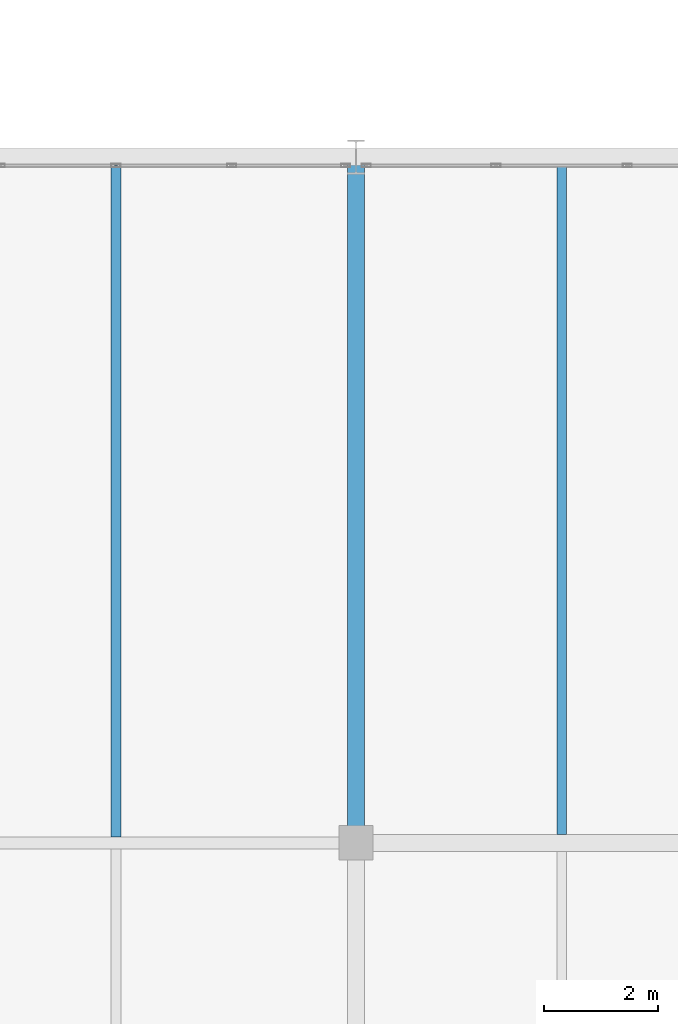
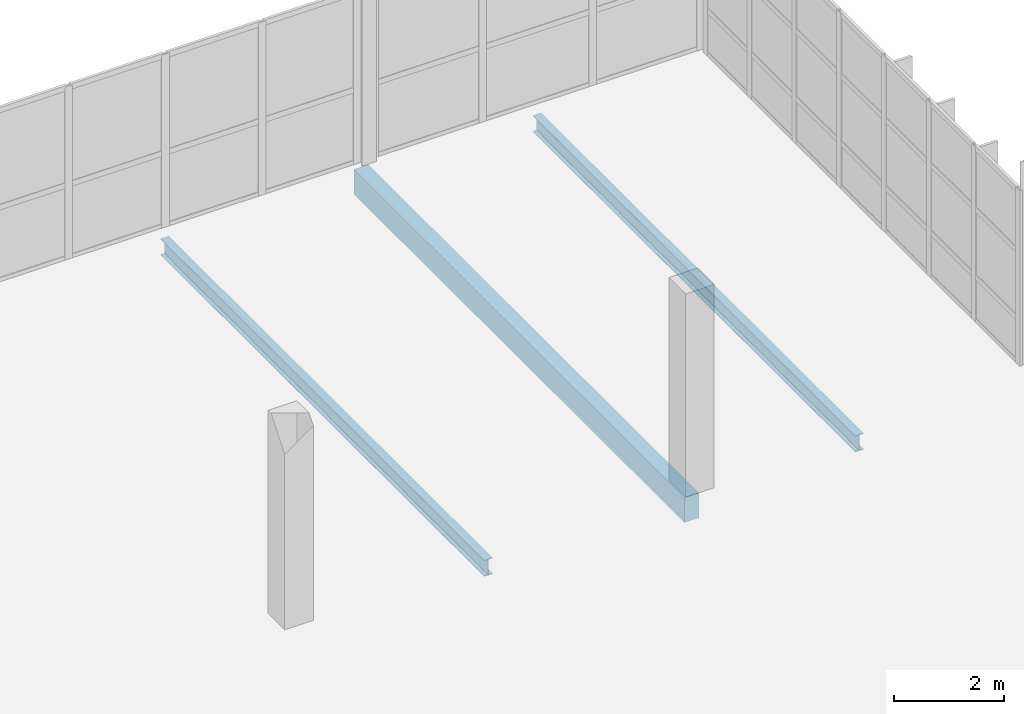
# One storey, part 101 of 130: 3 beams.
"""IFC4 building model written with IfcOpenShell, lengths in metres."""

from ifc_helpers import new_model, si_unit, direction, frame, origin, origin_2d, place, context, subcontext, project, spatial, rectangle, i_section, extrude, material, material_profile, profile_set, type_object, element, save


model = new_model("IFC4")

# Units and contexts
model_context = context("Model", 3, precision=1e-05, world=origin(), true_north=direction((0.0, 1.0)))
body_context = subcontext(model_context, "Body", "Model", "MODEL_VIEW")
ifc_project = project(units=[si_unit("LENGTHUNIT", "METRE"), si_unit("AREAUNIT", "SQUARE_METRE"), si_unit("VOLUMEUNIT", "CUBIC_METRE"), si_unit("PLANEANGLEUNIT", "RADIAN"), si_unit("MASSUNIT", "GRAM", prefix="KILO")], contexts=[model_context])

# Site, building, storey
site_placement = place(None, origin())
site = spatial("IfcSite", under=ifc_project, at=site_placement, CompositionType="ELEMENT")
building_placement = place(site_placement, origin())
building = spatial("IfcBuilding", under=site, at=building_placement, Name="Veltarok Museum of Natural Sciences", CompositionType="ELEMENT")
storey_placement = place(building_placement, frame((0.0, 0.0, 12.89990234375)))
storey = spatial("IfcBuildingStorey", under=building, at=storey_placement, Name="L02", CompositionType="ELEMENT", Elevation=12.89990234375)

# Beams
ifc_material_1 = material(Name="Precast concrete C40/50", Category="concrete")
ifc_material_profile_1 = material_profile(ifc_material_1, rectangle(XDim=0.300048828125, YDim=0.550048828125, at=origin_2d()), Name="RC 300x550")
ifc_profile_set_1 = profile_set([ifc_material_profile_1], Name="Precast concrete C40/50")
beam_type_1 = type_object("IfcBeamType", Name="East Wing Precast Spandrel RC 300x550", PredefinedType="SPANDREL", material=ifc_profile_set_1)
beam_1_placement = place(storey_placement, frame((157.60009765625, 60.0, -0.52490234375), z_axis=(0.0, 1.0, 0.0), x_axis=(-1.0, 0.0, 0.0)))
element("IfcBeam", 1, at=beam_1_placement, inside=storey, type_object=beam_type_1, Name="Beam BM-SP02 L02 19/G-H", PredefinedType="SPANDREL", context=body_context, shape_type="SweptSolid", body=[
    extrude(rectangle(XDim=0.300048828125, YDim=0.550048828125, at=origin_2d()), origin(), (0.0, 0.0, 1.0), 12.0),
])
ifc_material_2 = material(Name="Steel S355J2", Category="steel")
ifc_material_profile_2 = material_profile(ifc_material_2, i_section(OverallWidth=0.169921875, OverallDepth=0.360107421875, WebThickness=0.008056640625, FlangeThickness=0.0126953125, FilletRadius=0.01806640625, at=origin_2d()), Name="IPE 360")
ifc_profile_set_2 = profile_set([ifc_material_profile_2], Name="Steel S355J2")
beam_type_2 = type_object("IfcBeamType", Name="Long-Bay Composite Joist IPE 360", PredefinedType="JOIST", material=ifc_profile_set_2)
beam_2_placement = place(storey_placement, frame((153.39990234375, 60.10302734375, -0.429931640625), z_axis=(0.0, 1.0, 0.0), x_axis=(-1.0, 0.0, 0.0)))
element("IfcBeam", 2, at=beam_2_placement, inside=storey, type_object=beam_type_2, Name="Secondary Joist BM-J01 L02 18-19/G-H.1", PredefinedType="JOIST", context=body_context, shape_type="SweptSolid", body=[
    extrude(i_section(OverallWidth=0.169921875, OverallDepth=0.360107421875, WebThickness=0.008056640625, FlangeThickness=0.0126953125, FilletRadius=0.01806640625, at=origin_2d()), origin(), (0.0, 0.0, 1.0), 11.7490234375),
])
beam_3_placement = place(storey_placement, frame((161.199951171875, 60.14794921875, -0.429931640625), z_axis=(0.0, 1.0, 0.0), x_axis=(-1.0, 0.0, 0.0)))
element("IfcBeam", 3, at=beam_3_placement, inside=storey, type_object=beam_type_2, Name="Secondary Joist BM-J01 L02 19-20/G-H.1", PredefinedType="JOIST", context=body_context, shape_type="SweptSolid", body=[
    extrude(i_section(OverallWidth=0.169921875, OverallDepth=0.360107421875, WebThickness=0.008056640625, FlangeThickness=0.0126953125, FilletRadius=0.01806640625, at=origin_2d()), origin(), (0.0, 0.0, 1.0), 11.7041015625),
])

save(model, "model.ifc")
